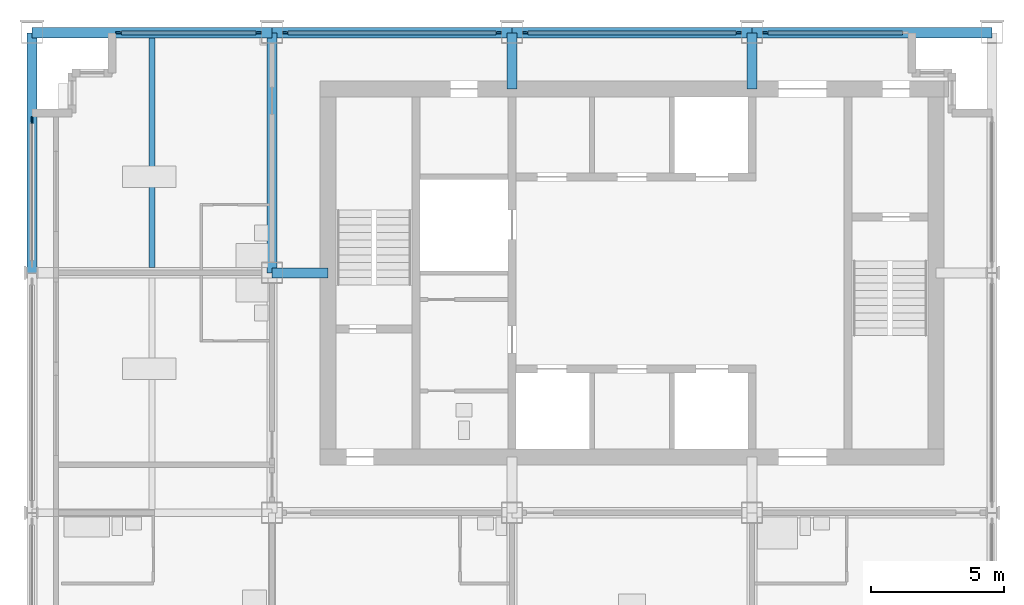
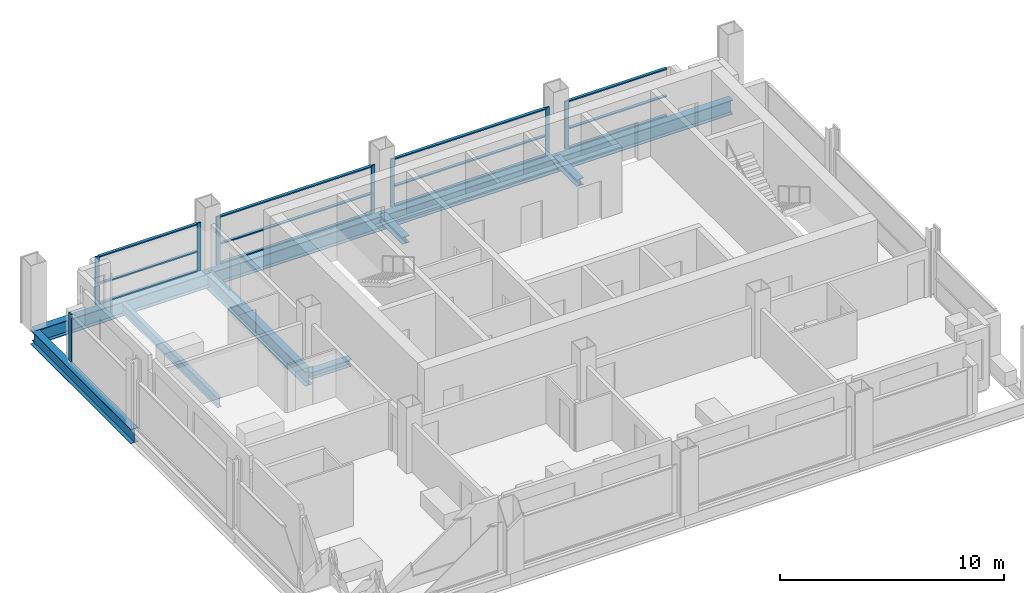
# One storey, part 3 of 11: 23 members, 7 beams, 5 elements without a shape of their own.
"""IFC4 building model written with IfcOpenShell, lengths in metres."""

from ifc_helpers import new_model, si_unit, direction, frame, origin, origin_2d, place, context, subcontext, project, spatial, rectangle, i_section, extrude, material, material_profile, profile_set, type_object, element, aggregate, save


model = new_model("IFC4")

# Units and contexts
model_context = context("Model", 3, precision=1e-05, world=origin(), true_north=direction((0.0, 1.0)))
body_context = subcontext(model_context, "Body", "Model", "MODEL_VIEW")
ifc_project = project(units=[si_unit("LENGTHUNIT", "METRE"), si_unit("AREAUNIT", "SQUARE_METRE"), si_unit("VOLUMEUNIT", "CUBIC_METRE"), si_unit("PLANEANGLEUNIT", "RADIAN"), si_unit("MASSUNIT", "GRAM", prefix="KILO")], contexts=[model_context])

# Site, building, storey
site_placement = place(None, origin())
site = spatial("IfcSite", under=ifc_project, at=site_placement, CompositionType="ELEMENT")
building_placement = place(site_placement, origin())
building = spatial("IfcBuilding", under=site, at=building_placement, Name="Loomwork Tower", CompositionType="ELEMENT")
storey_placement = place(building_placement, frame((0.0, 0.0, 262.60009765625)))
storey = spatial("IfcBuildingStorey", under=building, at=storey_placement, Name="L72", CompositionType="ELEMENT", Elevation=262.60009765625)

# Beam
ifc_material_1 = material(Name="Steel ASTM A992", Category="steel")
ifc_material_profile_1 = material_profile(ifc_material_1, i_section(OverallWidth=0.383544921875, OverallDepth=0.794921875, WebThickness=0.02099609375, FlangeThickness=0.0380859375, at=origin_2d()), Name="W30x235")
ifc_profile_set_1 = profile_set([ifc_material_profile_1], Name="Steel ASTM A992")
beam_type_1 = type_object("IfcBeamType", Name="CORE FLANK GIRDER W30x235", PredefinedType="BEAM", material=ifc_profile_set_1)
beam_1_placement = place(storey_placement, frame((9.0, 18.0, -0.59765625), z_axis=(0.0, 1.0, 0.0), x_axis=(-1.0, 0.0, 0.0)))
element("IfcBeam", 1, at=beam_1_placement, inside=storey, type_object=beam_type_1, Name="Core Flank Girder F/3-G/3 L72", PredefinedType="BEAM", context=body_context, shape_type="SweptSolid", body=[
    extrude(i_section(OverallWidth=0.383544921875, OverallDepth=0.794921875, WebThickness=0.02099609375, FlangeThickness=0.0380859375, at=origin_2d()), origin(), (0.0, 0.0, 1.0), 9.0),
])

# Members
ifc_material_2 = material(Name="Steel ASTM A992", Category="steel")
ifc_material_profile_2 = material_profile(ifc_material_2, i_section(OverallWidth=0.373291015625, OverallDepth=0.373291015625, WebThickness=0.016357421875, FlangeThickness=0.026123046875, at=origin_2d()), Name="W14x132")
ifc_profile_set_2 = profile_set([ifc_material_profile_2], Name="Steel ASTM A992")
member_type_1 = type_object("IfcMemberType", Name="CORE LINK STRUT W14x132", PredefinedType="STRUT", material=ifc_profile_set_2)
for number, where, z_axis, x_axis, name in (
    (2, (18.0, 27.0, -0.38671875), (0.0, -1.0, 0.0), (1.0, 0.0, 0.0), "Core link strut G/4-18.000,24.900 L72"),
    (3, (27.0, 27.0, -0.38671875), (0.0, -1.0, 0.0), (1.0, 0.0, 0.0), "Core link strut G/5-27.000,24.900 L72"),
    (4, (9.0, 18.0, -0.38671875), (1.0, 0.0, 0.0), (0.0, 1.0, 0.0), "Core link strut F/3-11.100,18.000 L72"),
):
    element("IfcMember", number, at=place(storey_placement, frame(where, z_axis=z_axis, x_axis=x_axis)), inside=storey, type_object=member_type_1, Name=name, PredefinedType="STRUT", context=body_context, shape_type="SweptSolid", body=[
        extrude(i_section(OverallWidth=0.373291015625, OverallDepth=0.373291015625, WebThickness=0.016357421875, FlangeThickness=0.026123046875, at=origin_2d()), origin(), (0.0, 0.0, 1.0), 2.10009765625),
    ])

# Beam
ifc_material_3 = material(Name="Steel ASTM A992", Category="steel")
ifc_material_profile_3 = material_profile(ifc_material_3, i_section(OverallWidth=0.2109375, OverallDepth=0.53857421875, WebThickness=0.011474609375, FlangeThickness=0.018798828125, at=origin_2d()), Name="W21x73")
ifc_profile_set_3 = profile_set([ifc_material_profile_3], Name="Steel ASTM A992")
beam_type_2 = type_object("IfcBeamType", Name="FLOOR JOIST W21x73", PredefinedType="JOIST", material=ifc_profile_set_3)
beam_2_placement = place(storey_placement, frame((4.5, 18.19091796875, -0.46923828125), z_axis=(0.0, 1.0, 0.0), x_axis=(-1.0, 0.0, 0.0)))
element("IfcBeam", 5, at=beam_2_placement, inside=storey, type_object=beam_type_2, Name="Floor Joist 4.500,18.000-4.500,27.000 L72", PredefinedType="JOIST", context=body_context, shape_type="SweptSolid", body=[
    extrude(i_section(OverallWidth=0.2109375, OverallDepth=0.53857421875, WebThickness=0.011474609375, FlangeThickness=0.018798828125, at=origin_2d()), origin(), (0.0, 0.0, 1.0), 8.619140625),
])

# Curtain wall, member
ifc_material_4 = material(Name="Aluminium curtain wall frame", Category="aluminium")
curtain_wall_type_1 = type_object("IfcCurtainWallType", Name="Outer skin glazing suites", PredefinedType="NOTDEFINED", material=ifc_material_4)
curtain_wall_1_placement = place(storey_placement, origin())
curtain_wall_1 = element("IfcCurtainWall", 6, at=curtain_wall_1_placement, inside=storey, type_object=curtain_wall_type_1, Name="Outer skin glazing suites cw/W-18", PredefinedType="NOTDEFINED")
ifc_material_5 = material(Name="Aluminium curtain wall frame", Category="aluminium")
ifc_material_profile_4 = material_profile(ifc_material_5, rectangle(XDim=0.06494140625, YDim=0.25, at=origin_2d()), Name="AL 65x250")
ifc_profile_set_4 = profile_set([ifc_material_profile_4], Name="Aluminium curtain wall frame")
member_type_2 = type_object("IfcMemberType", Name="Outer skin glazing suites mullion", PredefinedType="MULLION", material=ifc_profile_set_4)
member_1_placement = place(storey_placement, frame((0.0, 23.72509765625, 0.0), z_axis=(0.0, 0.0, 1.0), x_axis=(1.0, 0.0, 0.0)))
member_1 = element("IfcMember", 7, at=member_1_placement, type_object=member_type_2, Name="CW2 mullion 1", PredefinedType="MULLION", context=body_context, shape_type="SweptSolid", body=[
    extrude(rectangle(XDim=0.06494140625, YDim=0.25, at=origin_2d()), origin(), (0.0, 0.0, 1.0), 2.6201171875),
])
aggregate(curtain_wall_1, [member_1])

# Beams
ifc_material_6 = material(Name="Steel ASTM A992", Category="steel")
ifc_material_profile_5 = material_profile(ifc_material_6, i_section(OverallWidth=0.381103515625, OverallDepth=0.77978515625, WebThickness=0.01806640625, FlangeThickness=0.0302734375, at=origin_2d()), Name="W30x191")
ifc_profile_set_5 = profile_set([ifc_material_profile_5], Name="Steel ASTM A992")
beam_type_3 = type_object("IfcBeamType", Name="SPANDREL GIRDER W30x191", PredefinedType="SPANDREL", material=ifc_profile_set_5)
for number, where, z_axis, x_axis, name in (
    (8, (0.0, 27.0, -0.590087890625), (1.0, 0.0, 0.0), (0.0, 1.0, 0.0), "Spandrel Girder G/2-G/3 L72"),
    (9, (9.0, 27.0, -0.590087890625), (1.0, 0.0, 0.0), (0.0, 1.0, 0.0), "Spandrel Girder G/3-G/4 L72"),
    (10, (18.0, 27.0, -0.590087890625), (1.0, 0.0, 0.0), (0.0, 1.0, 0.0), "Spandrel Girder G/4-G/5 L72"),
    (11, (27.0, 27.0, -0.590087890625), (1.0, 0.0, 0.0), (0.0, 1.0, 0.0), "Spandrel Girder G/5-G/6 L72"),
    (12, (0.0, 18.0, -0.590087890625), (0.0, 1.0, 0.0), (-1.0, 0.0, 0.0), "Spandrel Girder F/2-G/2 L72"),
):
    element("IfcBeam", number, at=place(storey_placement, frame(where, z_axis=z_axis, x_axis=x_axis)), inside=storey, type_object=beam_type_3, Name=name, PredefinedType="SPANDREL", context=body_context, shape_type="SweptSolid", body=[
        extrude(i_section(OverallWidth=0.381103515625, OverallDepth=0.77978515625, WebThickness=0.01806640625, FlangeThickness=0.0302734375, at=origin_2d()), origin(), (0.0, 0.0, 1.0), 9.0),
    ])

# Curtain wall, members
ifc_material_7 = material(Name="Aluminium curtain wall frame", Category="aluminium")
curtain_wall_type_2 = type_object("IfcCurtainWallType", Name="Single skin glazing corridor", PredefinedType="NOTDEFINED", material=ifc_material_7)
curtain_wall_2_placement = place(storey_placement, origin())
curtain_wall_2 = element("IfcCurtainWall", 13, at=curtain_wall_2_placement, inside=storey, type_object=curtain_wall_type_2, Name="Single skin glazing corridor cw/N-0", PredefinedType="NOTDEFINED")
ifc_material_8 = material(Name="Aluminium curtain wall frame", Category="aluminium")
ifc_material_profile_6 = material_profile(ifc_material_8, rectangle(XDim=0.06494140625, YDim=0.199951171875, at=origin_2d()), Name="AL 65x200")
ifc_profile_set_6 = profile_set([ifc_material_profile_6], Name="Aluminium curtain wall frame")
member_type_3 = type_object("IfcMemberType", Name="Single skin glazing corridor mullion", PredefinedType="MULLION", material=ifc_profile_set_6)
member_2_placement = place(storey_placement, frame((8.5, 27.0, 0.0), z_axis=(0.0, 0.0, 1.0), x_axis=(0.0, -1.0, 0.0)))
member_2 = element("IfcMember", 14, at=member_2_placement, type_object=member_type_3, Name="CW3 mullion 1", PredefinedType="MULLION", context=body_context, shape_type="SweptSolid", body=[
    extrude(rectangle(XDim=0.06494140625, YDim=0.199951171875, at=origin_2d()), origin(), (0.0, 0.0, 1.0), 2.6201171875),
])
member_3_placement = place(storey_placement, frame((3.25, 27.0, 0.0), z_axis=(0.0, 0.0, 1.0), x_axis=(0.0, -1.0, 0.0)))
member_3 = element("IfcMember", 15, at=member_3_placement, type_object=member_type_3, Name="CW3 mullion 2", PredefinedType="MULLION", context=body_context, shape_type="SweptSolid", body=[
    extrude(rectangle(XDim=0.06494140625, YDim=0.199951171875, at=origin_2d()), origin(), (0.0, 0.0, 1.0), 2.6201171875),
])

curtain_wall_3_placement = place(storey_placement, origin())
curtain_wall_3 = element("IfcCurtainWall", 16, at=curtain_wall_3_placement, inside=storey, type_object=curtain_wall_type_2, Name="Single skin glazing corridor cw/N-9", PredefinedType="NOTDEFINED")
member_4_placement = place(storey_placement, frame((17.5, 27.0, 0.0), z_axis=(0.0, 0.0, 1.0), x_axis=(0.0, -1.0, 0.0)))
member_4 = element("IfcMember", 17, at=member_4_placement, type_object=member_type_3, Name="CW3 mullion 1", PredefinedType="MULLION", context=body_context, shape_type="SweptSolid", body=[
    extrude(rectangle(XDim=0.06494140625, YDim=0.199951171875, at=origin_2d()), origin(), (0.0, 0.0, 1.0), 2.6201171875),
])
member_5_placement = place(storey_placement, frame((9.5, 27.0, 0.0), z_axis=(0.0, 0.0, 1.0), x_axis=(0.0, -1.0, 0.0)))
member_5 = element("IfcMember", 18, at=member_5_placement, type_object=member_type_3, Name="CW3 mullion 2", PredefinedType="MULLION", context=body_context, shape_type="SweptSolid", body=[
    extrude(rectangle(XDim=0.06494140625, YDim=0.199951171875, at=origin_2d()), origin(), (0.0, 0.0, 1.0), 2.6201171875),
])

curtain_wall_4_placement = place(storey_placement, origin())
curtain_wall_4 = element("IfcCurtainWall", 19, at=curtain_wall_4_placement, inside=storey, type_object=curtain_wall_type_2, Name="Single skin glazing corridor cw/N-18", PredefinedType="NOTDEFINED")
member_6_placement = place(storey_placement, frame((26.5, 27.0, 0.0), z_axis=(0.0, 0.0, 1.0), x_axis=(0.0, -1.0, 0.0)))
member_6 = element("IfcMember", 20, at=member_6_placement, type_object=member_type_3, Name="CW3 mullion 1", PredefinedType="MULLION", context=body_context, shape_type="SweptSolid", body=[
    extrude(rectangle(XDim=0.06494140625, YDim=0.199951171875, at=origin_2d()), origin(), (0.0, 0.0, 1.0), 2.6201171875),
])
member_7_placement = place(storey_placement, frame((18.5, 27.0, 0.0), z_axis=(0.0, 0.0, 1.0), x_axis=(0.0, -1.0, 0.0)))
member_7 = element("IfcMember", 21, at=member_7_placement, type_object=member_type_3, Name="CW3 mullion 2", PredefinedType="MULLION", context=body_context, shape_type="SweptSolid", body=[
    extrude(rectangle(XDim=0.06494140625, YDim=0.199951171875, at=origin_2d()), origin(), (0.0, 0.0, 1.0), 2.6201171875),
])

# Curtain wall, member
curtain_wall_5_placement = place(storey_placement, origin())
curtain_wall_5 = element("IfcCurtainWall", 22, at=curtain_wall_5_placement, inside=storey, type_object=curtain_wall_type_2, Name="Single skin glazing corridor cw/N-27", PredefinedType="NOTDEFINED")
member_8_placement = place(storey_placement, frame((27.5, 27.0, 0.0), z_axis=(0.0, 0.0, 1.0), x_axis=(0.0, -1.0, 0.0)))
member_8 = element("IfcMember", 23, at=member_8_placement, type_object=member_type_3, Name="CW3 mullion 2", PredefinedType="MULLION", context=body_context, shape_type="SweptSolid", body=[
    extrude(rectangle(XDim=0.06494140625, YDim=0.199951171875, at=origin_2d()), origin(), (0.0, 0.0, 1.0), 2.6201171875),
])

# Member
ifc_material_9 = material(Name="Aluminium curtain wall frame", Category="aluminium")
ifc_material_profile_7 = material_profile(ifc_material_9, rectangle(XDim=0.14990234375, YDim=0.06494140625, at=origin_2d()), Name="AL 65x150")
ifc_profile_set_7 = profile_set([ifc_material_profile_7], Name="Aluminium curtain wall frame")
member_type_4 = type_object("IfcMemberType", Name="Single skin glazing corridor transom", PredefinedType="USERDEFINED", material=ifc_profile_set_7)
member_9_placement = place(storey_placement, frame((8.39990234375, 27.0, 0.032470703125), z_axis=(-1.0, 0.0, 0.0), x_axis=(0.0, -1.0, 0.0)))
member_9 = element("IfcMember", 24, at=member_9_placement, type_object=member_type_4, Name="CW3 transom 1.1", ObjectType="TRANSOM", PredefinedType="USERDEFINED", context=body_context, shape_type="SweptSolid", body=[
    extrude(rectangle(XDim=0.14990234375, YDim=0.06494140625, at=origin_2d()), origin(), (0.0, 0.0, 1.0), 5.0498046875),
])

member_10_placement = place(storey_placement, frame((8.39990234375, 27.0, 1.099853515625), z_axis=(-1.0, 0.0, 0.0), x_axis=(0.0, -1.0, 0.0)))
member_10 = element("IfcMember", 25, at=member_10_placement, type_object=member_type_4, Name="CW3 transom 1.2", ObjectType="TRANSOM", PredefinedType="USERDEFINED", context=body_context, shape_type="SweptSolid", body=[
    extrude(rectangle(XDim=0.14990234375, YDim=0.06494140625, at=origin_2d()), origin(), (0.0, 0.0, 1.0), 5.0498046875),
])

member_11_placement = place(storey_placement, frame((8.39990234375, 27.0, 2.587646484375), z_axis=(-1.0, 0.0, 0.0), x_axis=(0.0, -1.0, 0.0)))
member_11 = element("IfcMember", 26, at=member_11_placement, type_object=member_type_4, Name="CW3 transom 1.3", ObjectType="TRANSOM", PredefinedType="USERDEFINED", context=body_context, shape_type="SweptSolid", body=[
    extrude(rectangle(XDim=0.14990234375, YDim=0.06494140625, at=origin_2d()), origin(), (0.0, 0.0, 1.0), 5.0498046875),
])

aggregate(curtain_wall_2, [member_2, member_3, member_9, member_10, member_11])

member_12_placement = place(storey_placement, frame((17.39990234375, 27.0, 0.032470703125), z_axis=(-1.0, 0.0, 0.0), x_axis=(0.0, -1.0, 0.0)))
member_12 = element("IfcMember", 27, at=member_12_placement, type_object=member_type_4, Name="CW3 transom 1.1", ObjectType="TRANSOM", PredefinedType="USERDEFINED", context=body_context, shape_type="SweptSolid", body=[
    extrude(rectangle(XDim=0.14990234375, YDim=0.06494140625, at=origin_2d()), origin(), (0.0, 0.0, 1.0), 7.7998046875),
])

member_13_placement = place(storey_placement, frame((17.39990234375, 27.0, 1.099853515625), z_axis=(-1.0, 0.0, 0.0), x_axis=(0.0, -1.0, 0.0)))
member_13 = element("IfcMember", 28, at=member_13_placement, type_object=member_type_4, Name="CW3 transom 1.2", ObjectType="TRANSOM", PredefinedType="USERDEFINED", context=body_context, shape_type="SweptSolid", body=[
    extrude(rectangle(XDim=0.14990234375, YDim=0.06494140625, at=origin_2d()), origin(), (0.0, 0.0, 1.0), 7.7998046875),
])

member_14_placement = place(storey_placement, frame((17.39990234375, 27.0, 2.587646484375), z_axis=(-1.0, 0.0, 0.0), x_axis=(0.0, -1.0, 0.0)))
member_14 = element("IfcMember", 29, at=member_14_placement, type_object=member_type_4, Name="CW3 transom 1.3", ObjectType="TRANSOM", PredefinedType="USERDEFINED", context=body_context, shape_type="SweptSolid", body=[
    extrude(rectangle(XDim=0.14990234375, YDim=0.06494140625, at=origin_2d()), origin(), (0.0, 0.0, 1.0), 7.7998046875),
])

aggregate(curtain_wall_3, [member_4, member_5, member_12, member_13, member_14])

member_15_placement = place(storey_placement, frame((26.39990234375, 27.0, 0.032470703125), z_axis=(-1.0, 0.0, 0.0), x_axis=(0.0, -1.0, 0.0)))
member_15 = element("IfcMember", 30, at=member_15_placement, type_object=member_type_4, Name="CW3 transom 1.1", ObjectType="TRANSOM", PredefinedType="USERDEFINED", context=body_context, shape_type="SweptSolid", body=[
    extrude(rectangle(XDim=0.14990234375, YDim=0.06494140625, at=origin_2d()), origin(), (0.0, 0.0, 1.0), 7.7998046875),
])

member_16_placement = place(storey_placement, frame((26.39990234375, 27.0, 1.099853515625), z_axis=(-1.0, 0.0, 0.0), x_axis=(0.0, -1.0, 0.0)))
member_16 = element("IfcMember", 31, at=member_16_placement, type_object=member_type_4, Name="CW3 transom 1.2", ObjectType="TRANSOM", PredefinedType="USERDEFINED", context=body_context, shape_type="SweptSolid", body=[
    extrude(rectangle(XDim=0.14990234375, YDim=0.06494140625, at=origin_2d()), origin(), (0.0, 0.0, 1.0), 7.7998046875),
])

member_17_placement = place(storey_placement, frame((26.39990234375, 27.0, 2.587646484375), z_axis=(-1.0, 0.0, 0.0), x_axis=(0.0, -1.0, 0.0)))
member_17 = element("IfcMember", 32, at=member_17_placement, type_object=member_type_4, Name="CW3 transom 1.3", ObjectType="TRANSOM", PredefinedType="USERDEFINED", context=body_context, shape_type="SweptSolid", body=[
    extrude(rectangle(XDim=0.14990234375, YDim=0.06494140625, at=origin_2d()), origin(), (0.0, 0.0, 1.0), 7.7998046875),
])

aggregate(curtain_wall_4, [member_6, member_7, member_15, member_16, member_17])

member_18_placement = place(storey_placement, frame((32.64990234375, 27.0, 0.032470703125), z_axis=(-1.0, 0.0, 0.0), x_axis=(0.0, -1.0, 0.0)))
member_18 = element("IfcMember", 33, at=member_18_placement, type_object=member_type_4, Name="CW3 transom 1.1", ObjectType="TRANSOM", PredefinedType="USERDEFINED", context=body_context, shape_type="SweptSolid", body=[
    extrude(rectangle(XDim=0.14990234375, YDim=0.06494140625, at=origin_2d()), origin(), (0.0, 0.0, 1.0), 5.0498046875),
])

member_19_placement = place(storey_placement, frame((32.64990234375, 27.0, 1.099853515625), z_axis=(-1.0, 0.0, 0.0), x_axis=(0.0, -1.0, 0.0)))
member_19 = element("IfcMember", 34, at=member_19_placement, type_object=member_type_4, Name="CW3 transom 1.2", ObjectType="TRANSOM", PredefinedType="USERDEFINED", context=body_context, shape_type="SweptSolid", body=[
    extrude(rectangle(XDim=0.14990234375, YDim=0.06494140625, at=origin_2d()), origin(), (0.0, 0.0, 1.0), 5.0498046875),
])

member_20_placement = place(storey_placement, frame((32.64990234375, 27.0, 2.587646484375), z_axis=(-1.0, 0.0, 0.0), x_axis=(0.0, -1.0, 0.0)))
member_20 = element("IfcMember", 35, at=member_20_placement, type_object=member_type_4, Name="CW3 transom 1.3", ObjectType="TRANSOM", PredefinedType="USERDEFINED", context=body_context, shape_type="SweptSolid", body=[
    extrude(rectangle(XDim=0.14990234375, YDim=0.06494140625, at=origin_2d()), origin(), (0.0, 0.0, 1.0), 5.0498046875),
])

aggregate(curtain_wall_5, [member_8, member_18, member_19, member_20])

save(model, "model.ifc")
